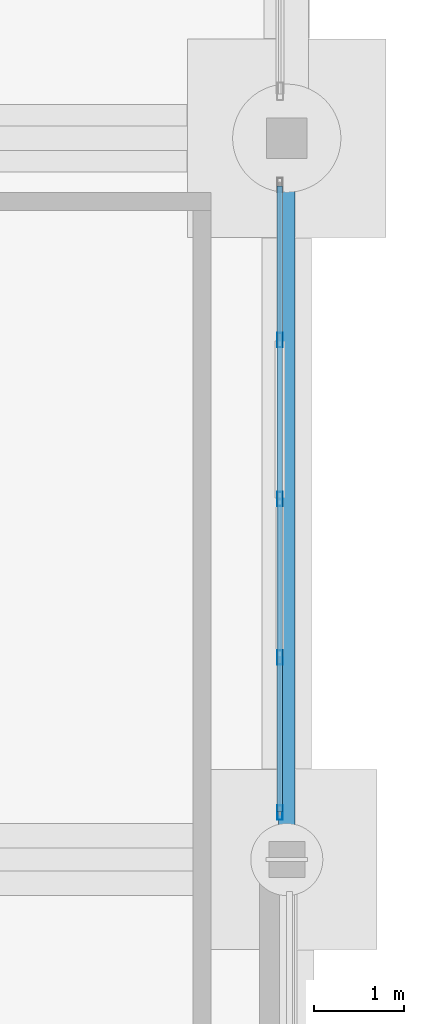
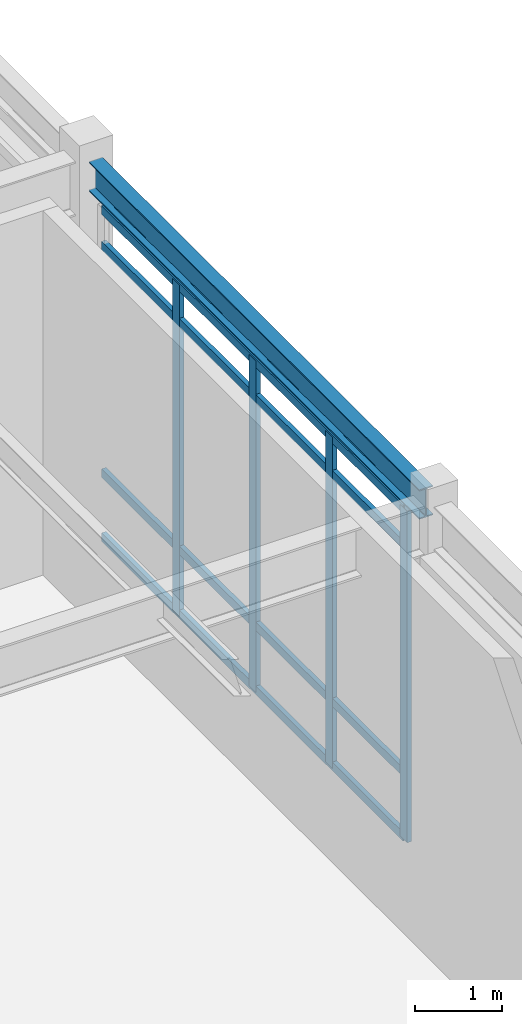
# One storey, part 134 of 203: 8 members, 1 beam, 1 element without a shape of its own.
"""IFC4 building model written with IfcOpenShell, lengths in metres."""

import ifcopenshell
import ifcopenshell.guid

model = None  # the IFC model being written
_history = None  # IfcOwnerHistory: only IFC2X3 demands one
_inside = {}  # id of a spatial element -> (the spatial element, [elements in it])
_under = {}  # id of a project, library or spatial element -> (it, [spatial elements below it])
_declared = {}  # id of a project -> (the project, [libraries it declares])
_typed = {}  # id of a type object -> (the type object, [elements of that type])
_made_of = {}  # id of a material, layer set ... -> (it, [elements and type objects made of it])


def new_model(schema):
    """Start an empty IFC model of exactly this schema.

    Asked for "IFC4X3", IfcOpenShell would pick the latest addendum, in which some entities
    have other attributes; the version numbers below select the first issue.
    IFC2X3 requires an IfcOwnerHistory on every rooted entity: one is made here for all.
    """
    global model, _history
    if schema == "IFC4X3":
        model = ifcopenshell.file(schema_version=(4, 3, 0, 0))
    else:
        model = ifcopenshell.file(schema=schema)
    _inside.clear()
    _under.clear()
    _declared.clear()
    _typed.clear()
    _made_of.clear()
    _history = None
    if model.schema == "IFC2X3":
        org = make("IfcOrganization", Name="unknown")
        user = make(
            "IfcPersonAndOrganization",
            ThePerson=make("IfcPerson", FamilyName="unknown"),
            TheOrganization=org,
        )
        app = make(
            "IfcApplication",
            ApplicationDeveloper=org,
            Version="unknown",
            ApplicationFullName="unknown",
            ApplicationIdentifier="unknown",
        )
        _history = make(
            "IfcOwnerHistory",
            OwningUser=user,
            OwningApplication=app,
            ChangeAction="ADDED",
            CreationDate=0,
        )
    return model


def make(cls, **values):
    """One entity of the class cls with the attributes given. An attribute that is None is left unset."""
    return model.create_entity(
        cls, **{name: value for name, value in values.items() if value is not None}
    )


def rooted(cls, **values):
    """An entity with a GlobalId (a new one), such as an element, a storey or a relation."""
    return make(cls, GlobalId=ifcopenshell.guid.new(), OwnerHistory=_history, **values)


def si_unit(unit_type, name, prefix=None):
    """IfcSIUnit, for example si_unit("LENGTHUNIT", "METRE", prefix="MILLI")."""
    return make("IfcSIUnit", UnitType=unit_type, Prefix=prefix, Name=name)


def assignment(units):
    """IfcUnitAssignment: the units of a project."""
    return None if units is None else make("IfcUnitAssignment", Units=units)


def point(xyz):
    """IfcCartesianPoint."""
    return None if xyz is None else make("IfcCartesianPoint", Coordinates=xyz)


def direction(xyz):
    """IfcDirection."""
    return None if xyz is None else make("IfcDirection", DirectionRatios=xyz)


def frame(location, z_axis=None, x_axis=None):
    """IfcAxis2Placement3D, a coordinate frame: its origin and axes. An axis left out is left unset."""
    return make(
        "IfcAxis2Placement3D",
        Location=point(location),
        Axis=direction(z_axis),
        RefDirection=direction(x_axis),
    )


def frame_2d(location, x_axis=None):
    """IfcAxis2Placement2D, a coordinate frame in the plane: its origin and x axis."""
    return make(
        "IfcAxis2Placement2D", Location=point(location), RefDirection=direction(x_axis)
    )


def origin():
    """The frame at (0, 0, 0) with its axes left unset."""
    return frame((0.0, 0.0, 0.0))


def origin_2d():
    """The frame at (0, 0) in the plane with its x axis left unset."""
    return frame_2d((0.0, 0.0))


def place(relative_to, where):
    """IfcLocalPlacement: puts the frame where relative to a parent placement (None: the world)."""
    return make(
        "IfcLocalPlacement", PlacementRelTo=relative_to, RelativePlacement=where
    )


def context(
    kind, dimensions, precision=None, world=None, true_north=None, identifier=None
):
    """IfcGeometricRepresentationContext, for example the 3D "Model" context."""
    return make(
        "IfcGeometricRepresentationContext",
        ContextIdentifier=identifier,
        ContextType=kind,
        CoordinateSpaceDimension=dimensions,
        Precision=precision,
        WorldCoordinateSystem=world,
        TrueNorth=true_north,
    )


def subcontext(parent, identifier, kind, view, scale=None):
    """IfcGeometricRepresentationSubContext, for example "Body" below "Model"."""
    return make(
        "IfcGeometricRepresentationSubContext",
        ContextIdentifier=identifier,
        ContextType=kind,
        ParentContext=parent,
        TargetScale=scale,
        TargetView=view,
    )


def project(units=None, contexts=None):
    """IfcProject with its units and contexts."""
    return rooted(
        "IfcProject",
        Name="project",
        RepresentationContexts=contexts,
        UnitsInContext=assignment(units),
    )


def spatial(cls, under=None, at=None, **own):
    """A site, building, storey or space (cls), placed at a placement, below another one or the project."""
    s = rooted(cls, ObjectPlacement=at, **own)
    if under is not None:
        _under.setdefault(under.id(), (under, []))[1].append(s)
    return s


def profile(cls, at=None, kind="AREA", **sizes):
    """A parametric profile (cls). Its sizes go by their IFC names, for example OverallWidth=200.0."""
    return make(cls, ProfileType=kind, Position=at, **sizes)


def hollow_rectangle(**sizes):
    """IfcRectangleHollowProfileDef."""
    return profile("IfcRectangleHollowProfileDef", **sizes)


def i_section(**sizes):
    """IfcIShapeProfileDef."""
    return profile("IfcIShapeProfileDef", **sizes)


def extrude(swept, where, along, depth):
    """IfcExtrudedAreaSolid: the profile swept, set in the frame where, extruded along a direction by depth."""
    return make(
        "IfcExtrudedAreaSolid",
        SweptArea=swept,
        Position=where,
        ExtrudedDirection=direction(along),
        Depth=depth,
    )


def shape(context_of_items, identifier, shape_type, items):
    """IfcShapeRepresentation: the items that make up one representation, for example the "Body"."""
    return make(
        "IfcShapeRepresentation",
        ContextOfItems=context_of_items,
        RepresentationIdentifier=identifier,
        RepresentationType=shape_type,
        Items=items,
    )


def material(Name=None, Category=None):
    """IfcMaterial."""
    return make("IfcMaterial", Name=Name, Category=Category)


def material_profile(
    of_material, cross_section, Name=None, Category=None, Priority=None
):
    """IfcMaterialProfile: a cross section and its material."""
    return make(
        "IfcMaterialProfile",
        Name=Name,
        Material=of_material,
        Profile=cross_section,
        Priority=Priority,
        Category=Category,
    )


def profile_set(profiles, Name=None, composite=None):
    """IfcMaterialProfileSet."""
    return make(
        "IfcMaterialProfileSet",
        Name=Name,
        MaterialProfiles=profiles,
        CompositeProfile=composite,
    )


def made_of(thing, what):
    """Note that an element or type object is made of a material, layer set ...; save() writes the relation."""
    if what is not None:
        _made_of.setdefault(what.id(), (what, []))[1].append(thing)
    return thing


def type_object(cls, material=None, **own):
    """A type object (cls), such as IfcWallType, which elements share."""
    return made_of(rooted(cls, **own), material)


def element(
    cls,
    number,
    at=None,
    inside=None,
    cuts=None,
    type_object=None,
    material=None,
    context=None,
    identifier="Body",
    shape_type=None,
    held_by="IfcProductDefinitionShape",
    body=None,
    shapes=None,
    **own,
):
    """One element of the class cls, such as IfcWall. Its Tag is "e" and its number.

    at: its placement. inside: the storey or other place that contains it. cuts: it is an
    opening in that element (IfcRelVoidsElement). A single representation is given by context,
    identifier, shape_type and body (its items); several are given by shapes. held_by: the class
    of the entity that holds the representations. save() writes the other relations.
    """
    e = rooted(cls, Tag="e%d" % number, ObjectPlacement=at, **own)
    if body is not None:
        shapes = [shape(context, identifier, shape_type, body)]
    if shapes is not None:
        e.Representation = make(held_by, Representations=shapes)
    if inside is not None:
        _inside.setdefault(inside.id(), (inside, []))[1].append(e)
    if cuts is not None:
        rooted(
            "IfcRelVoidsElement", RelatingBuildingElement=cuts, RelatedOpeningElement=e
        )
    if type_object is not None:
        _typed.setdefault(type_object.id(), (type_object, []))[1].append(e)
    return made_of(e, material)


def aggregate(whole, parts):
    """IfcRelAggregates: a whole, such as a stair, and the parts it consists of."""
    return rooted("IfcRelAggregates", RelatingObject=whole, RelatedObjects=parts)


def save(model, path):
    """Write the relations noted so far, then the file.

    IfcRelAggregates (storeys below a building ...), IfcRelContainedInSpatialStructure (elements
    in a storey), IfcRelDefinesByType, IfcRelAssociatesMaterial and IfcRelDeclares: one each for
    every whole, place, type object, material and project.
    """
    for whole, parts in _under.values():
        aggregate(whole, parts)
    for where, things in _inside.values():
        rooted(
            "IfcRelContainedInSpatialStructure",
            RelatedElements=things,
            RelatingStructure=where,
        )
    for kind, things in _typed.values():
        rooted("IfcRelDefinesByType", RelatedObjects=things, RelatingType=kind)
    for what, things in _made_of.values():
        rooted("IfcRelAssociatesMaterial", RelatedObjects=things, RelatingMaterial=what)
    for by, libraries in _declared.values():
        rooted("IfcRelDeclares", RelatingContext=by, RelatedDefinitions=libraries)
    model.write(path)


model = new_model("IFC4")

# Units and contexts
model_context = context("Model", 3, precision=1e-05, world=origin(), true_north=direction((0.0, 1.0)))
body_context = subcontext(model_context, "Body", "Model", "MODEL_VIEW")
ifc_project = project(units=[si_unit("LENGTHUNIT", "METRE"), si_unit("AREAUNIT", "SQUARE_METRE"), si_unit("VOLUMEUNIT", "CUBIC_METRE"), si_unit("PLANEANGLEUNIT", "RADIAN"), si_unit("MASSUNIT", "GRAM", prefix="KILO"), si_unit("THERMODYNAMICTEMPERATUREUNIT", "KELVIN"), si_unit("POWERUNIT", "WATT")], contexts=[model_context])

# Site, building, storey
site_placement = place(None, origin())
site = spatial("IfcSite", under=ifc_project, at=site_placement, CompositionType="ELEMENT")
building_placement = place(site_placement, origin())
building = spatial("IfcBuilding", under=site, at=building_placement, Name="Tepalcoro Natatorium and Aquatics Centre", CompositionType="ELEMENT")
storey_placement = place(building_placement, origin())
storey = spatial("IfcBuildingStorey", under=building, at=storey_placement, Name="L00", CompositionType="ELEMENT", Elevation=0.0)

# Curtain wall, members
ifc_material_1 = material(Name="Bronze-Anodised Extruded Aluminium Alloy EN AW-6063 T6", Category="aluminium")
curtain_wall_type = type_object("IfcCurtainWallType", Name="CW_LEAN_T2_NS", PredefinedType="USERDEFINED", material=ifc_material_1)
curtain_wall_placement = place(storey_placement, origin())
curtain_wall = element("IfcCurtainWall", 1, at=curtain_wall_placement, inside=storey, type_object=curtain_wall_type, Name="V5 L00 E Unitised Curtain Wall Bay 2", ObjectType="FACETED SOLAR GLAZING", PredefinedType="USERDEFINED")
ifc_material_profile_1 = material_profile(ifc_material_1, hollow_rectangle(XDim=0.06005859375, YDim=0.159912109375, WallThickness=0.00390625, at=origin_2d()), Name="AL60X160X4")
ifc_profile_set_1 = profile_set([ifc_material_profile_1], Name="Bronze-Anodised Extruded Aluminium Alloy EN AW-6063 T6")
member_type_1 = type_object("IfcMemberType", Name="CW_MUL_60x160", PredefinedType="MULLION", material=ifc_profile_set_1)
member_1_placement = place(storey_placement, frame((175.923828125, 94.52001953125, 0.02001953125), z_axis=(0.0, 0.0, 1.0), x_axis=(1.0, 0.0, 0.0)))
member_1 = element("IfcMember", 2, at=member_1_placement, type_object=member_type_1, Name="CW_LEAN_T2_NS Curtain Wall Mullion", PredefinedType="MULLION", context=body_context, shape_type="SweptSolid", body=[
    extrude(hollow_rectangle(XDim=0.06005859375, YDim=0.159912109375, WallThickness=0.00390625, at=origin_2d()), origin(), (0.0, 0.0, 1.0), 4.656982421875),
])
member_2_placement = place(storey_placement, frame((175.923828125, 96.239990234375, 0.02001953125), z_axis=(0.0, 0.0, 1.0), x_axis=(1.0, 0.0, 0.0)))
member_2 = element("IfcMember", 3, at=member_2_placement, type_object=member_type_1, Name="CW_LEAN_T2_NS Curtain Wall Mullion", PredefinedType="MULLION", context=body_context, shape_type="SweptSolid", body=[
    extrude(hollow_rectangle(XDim=0.06005859375, YDim=0.159912109375, WallThickness=0.00390625, at=origin_2d()), origin(), (0.0, 0.0, 1.0), 4.656982421875),
])
member_3_placement = place(storey_placement, frame((175.923828125, 98.0, 0.02001953125), z_axis=(0.0, 0.0, 1.0), x_axis=(1.0, 0.0, 0.0)))
member_3 = element("IfcMember", 4, at=member_3_placement, type_object=member_type_1, Name="CW_LEAN_T2_NS Curtain Wall Mullion", PredefinedType="MULLION", context=body_context, shape_type="SweptSolid", body=[
    extrude(hollow_rectangle(XDim=0.06005859375, YDim=0.159912109375, WallThickness=0.00390625, at=origin_2d()), origin(), (0.0, 0.0, 1.0), 4.656982421875),
])
member_4_placement = place(storey_placement, frame((175.923828125, 99.760009765625, 0.02001953125), z_axis=(0.0, 0.0, 1.0), x_axis=(1.0, 0.0, 0.0)))
member_4 = element("IfcMember", 5, at=member_4_placement, type_object=member_type_1, Name="CW_LEAN_T2_NS Curtain Wall Mullion", PredefinedType="MULLION", context=body_context, shape_type="SweptSolid", body=[
    extrude(hollow_rectangle(XDim=0.06005859375, YDim=0.159912109375, WallThickness=0.00390625, at=origin_2d()), origin(), (0.0, 0.0, 1.0), 4.656982421875),
])
ifc_material_profile_2 = material_profile(ifc_material_1, hollow_rectangle(XDim=0.06005859375, YDim=0.1201171875, WallThickness=0.00390625, at=origin_2d()), Name="AL60X120X4")
ifc_profile_set_2 = profile_set([ifc_material_profile_2], Name="Bronze-Anodised Extruded Aluminium Alloy EN AW-6063 T6")
member_type_2 = type_object("IfcMemberType", Name="CW_TRN_60x120", PredefinedType="USERDEFINED", material=ifc_profile_set_2)
member_5_placement = place(storey_placement, frame((175.923828125, 94.530029296875, 0.050048828125), z_axis=(0.0, 1.0, 0.0), x_axis=(-1.0, 0.0, 0.0)))
member_5 = element("IfcMember", 6, at=member_5_placement, type_object=member_type_2, Name="CW_LEAN_T2_NS Curtain Wall Transom", ObjectType="TRANSOM", PredefinedType="USERDEFINED", context=body_context, shape_type="SweptSolid", body=[
    extrude(hollow_rectangle(XDim=0.06005859375, YDim=0.1201171875, WallThickness=0.00390625, at=origin_2d()), origin(), (0.0, 0.0, 1.0), 6.93994140625),
])
member_6_placement = place(storey_placement, frame((175.923828125, 94.530029296875, 0.949951171875), z_axis=(0.0, 1.0, 0.0), x_axis=(-1.0, 0.0, 0.0)))
member_6 = element("IfcMember", 7, at=member_6_placement, type_object=member_type_2, Name="CW_LEAN_T2_NS Curtain Wall Transom", ObjectType="TRANSOM", PredefinedType="USERDEFINED", context=body_context, shape_type="SweptSolid", body=[
    extrude(hollow_rectangle(XDim=0.06005859375, YDim=0.1201171875, WallThickness=0.00390625, at=origin_2d()), origin(), (0.0, 0.0, 1.0), 6.93994140625),
])
member_7_placement = place(storey_placement, frame((175.923828125, 94.530029296875, 4.14697265625), z_axis=(0.0, 1.0, 0.0), x_axis=(-1.0, 0.0, 0.0)))
member_7 = element("IfcMember", 8, at=member_7_placement, type_object=member_type_2, Name="CW_LEAN_T2_NS Curtain Wall Transom", ObjectType="TRANSOM", PredefinedType="USERDEFINED", context=body_context, shape_type="SweptSolid", body=[
    extrude(hollow_rectangle(XDim=0.06005859375, YDim=0.1201171875, WallThickness=0.00390625, at=origin_2d()), origin(), (0.0, 0.0, 1.0), 6.93994140625),
])
member_8_placement = place(storey_placement, frame((175.923828125, 94.530029296875, 4.64697265625), z_axis=(0.0, 1.0, 0.0), x_axis=(-1.0, 0.0, 0.0)))
member_8 = element("IfcMember", 9, at=member_8_placement, type_object=member_type_2, Name="CW_LEAN_T2_NS Curtain Wall Transom", ObjectType="TRANSOM", PredefinedType="USERDEFINED", context=body_context, shape_type="SweptSolid", body=[
    extrude(hollow_rectangle(XDim=0.06005859375, YDim=0.1201171875, WallThickness=0.00390625, at=origin_2d()), origin(), (0.0, 0.0, 1.0), 6.93994140625),
])
aggregate(curtain_wall, [member_1, member_2, member_3, member_4, member_5, member_6, member_7, member_8])

# Beam
ifc_material_2 = material(Name="Steel ASTM A992 Grade 50 (Fy 345 MPa)", Category="steel")
ifc_material_profile_3 = material_profile(ifc_material_2, i_section(OverallWidth=0.179931640625, OverallDepth=0.4130859375, WebThickness=0.010009765625, FlangeThickness=0.01611328125, FilletRadius=0.013916015625, at=origin_2d()), Name="W16X50")
ifc_profile_set_3 = profile_set([ifc_material_profile_3], Name="Steel ASTM A992 Grade 50 (Fy 345 MPa)")
beam_type = type_object("IfcBeamType", Name="SP_HSS300x200x12", PredefinedType="SPANDREL", material=ifc_profile_set_3)
beam_placement = place(storey_placement, frame((176.0, 94.18505859375, 4.91845703125), z_axis=(0.0, 1.0, 0.0), x_axis=(-1.0, 0.0, 0.0)))
element("IfcBeam", 10, at=beam_placement, inside=storey, type_object=beam_type, Name="V5 L00 Grid Girder Y", PredefinedType="SPANDREL", context=body_context, shape_type="SweptSolid", body=[
    extrude(i_section(OverallWidth=0.179931640625, OverallDepth=0.4130859375, WebThickness=0.010009765625, FlangeThickness=0.01611328125, FilletRadius=0.013916015625, at=origin_2d()), origin(), (0.0, 0.0, 1.0), 7.60498046875),
])

save(model, "model.ifc")
